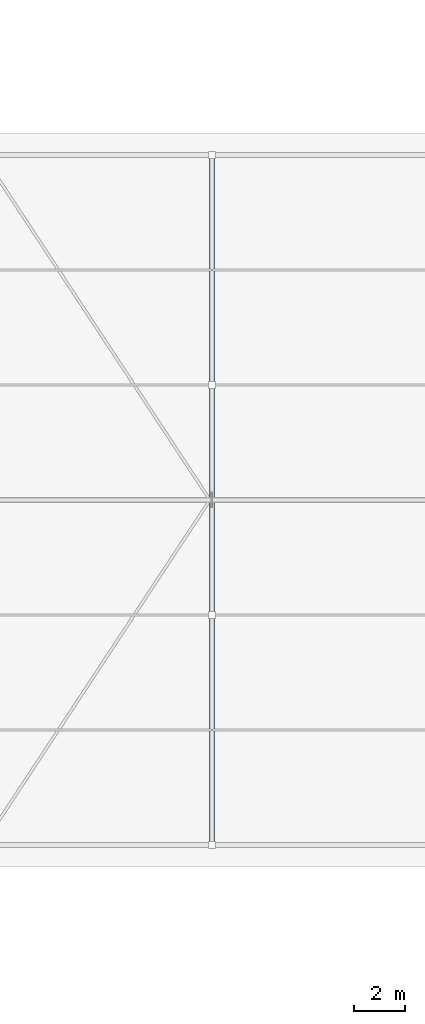
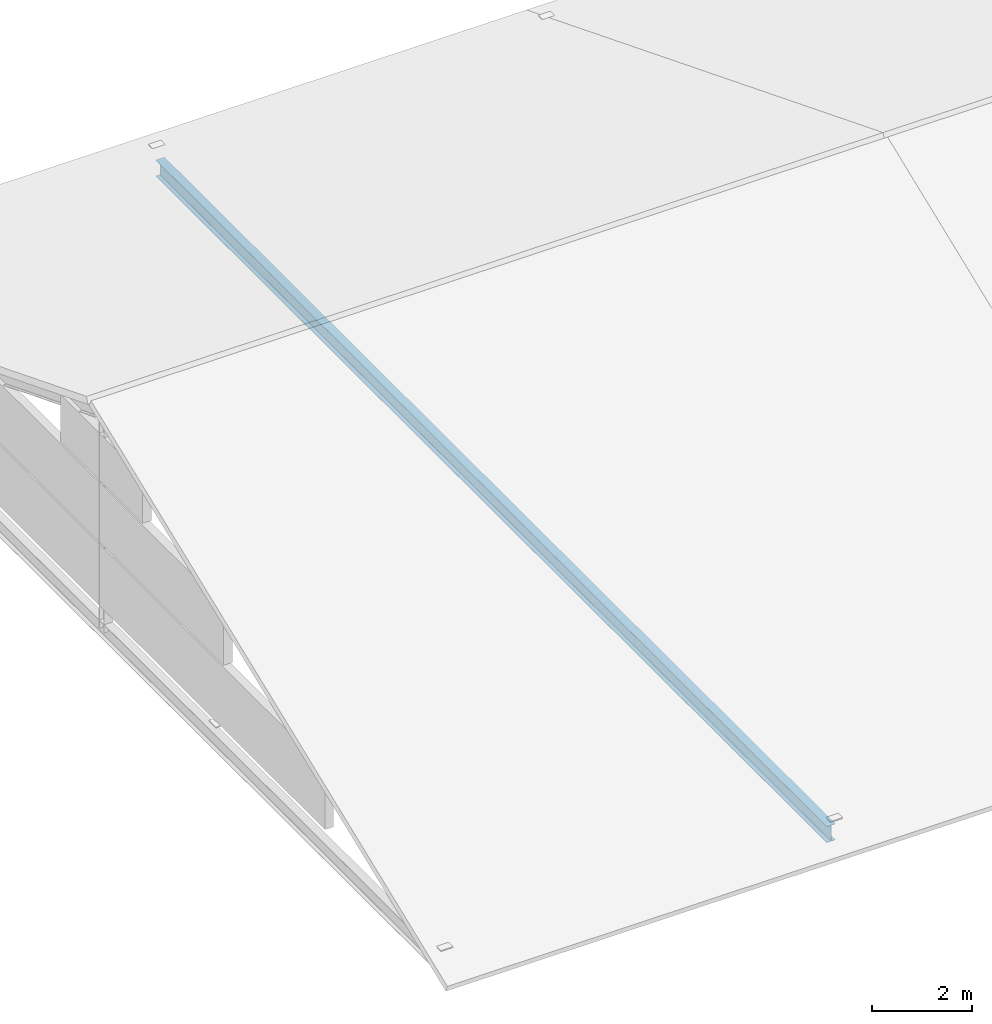
# One storey, part 65 of 132: 1 beam.
"""IFC4 building model written with IfcOpenShell, lengths in metres."""

import ifcopenshell
import ifcopenshell.guid

model = None  # the IFC model being written
_history = None  # IfcOwnerHistory: only IFC2X3 demands one
_inside = {}  # id of a spatial element -> (the spatial element, [elements in it])
_under = {}  # id of a project, library or spatial element -> (it, [spatial elements below it])
_declared = {}  # id of a project -> (the project, [libraries it declares])
_typed = {}  # id of a type object -> (the type object, [elements of that type])
_made_of = {}  # id of a material, layer set ... -> (it, [elements and type objects made of it])


def new_model(schema):
    """Start an empty IFC model of exactly this schema.

    Asked for "IFC4X3", IfcOpenShell would pick the latest addendum, in which some entities
    have other attributes; the version numbers below select the first issue.
    IFC2X3 requires an IfcOwnerHistory on every rooted entity: one is made here for all.
    """
    global model, _history
    if schema == "IFC4X3":
        model = ifcopenshell.file(schema_version=(4, 3, 0, 0))
    else:
        model = ifcopenshell.file(schema=schema)
    _inside.clear()
    _under.clear()
    _declared.clear()
    _typed.clear()
    _made_of.clear()
    _history = None
    if model.schema == "IFC2X3":
        org = make("IfcOrganization", Name="unknown")
        user = make(
            "IfcPersonAndOrganization",
            ThePerson=make("IfcPerson", FamilyName="unknown"),
            TheOrganization=org,
        )
        app = make(
            "IfcApplication",
            ApplicationDeveloper=org,
            Version="unknown",
            ApplicationFullName="unknown",
            ApplicationIdentifier="unknown",
        )
        _history = make(
            "IfcOwnerHistory",
            OwningUser=user,
            OwningApplication=app,
            ChangeAction="ADDED",
            CreationDate=0,
        )
    return model


def make(cls, **values):
    """One entity of the class cls with the attributes given. An attribute that is None is left unset."""
    return model.create_entity(
        cls, **{name: value for name, value in values.items() if value is not None}
    )


def rooted(cls, **values):
    """An entity with a GlobalId (a new one), such as an element, a storey or a relation."""
    return make(cls, GlobalId=ifcopenshell.guid.new(), OwnerHistory=_history, **values)


def si_unit(unit_type, name, prefix=None):
    """IfcSIUnit, for example si_unit("LENGTHUNIT", "METRE", prefix="MILLI")."""
    return make("IfcSIUnit", UnitType=unit_type, Prefix=prefix, Name=name)


def assignment(units):
    """IfcUnitAssignment: the units of a project."""
    return None if units is None else make("IfcUnitAssignment", Units=units)


def point(xyz):
    """IfcCartesianPoint."""
    return None if xyz is None else make("IfcCartesianPoint", Coordinates=xyz)


def direction(xyz):
    """IfcDirection."""
    return None if xyz is None else make("IfcDirection", DirectionRatios=xyz)


def frame(location, z_axis=None, x_axis=None):
    """IfcAxis2Placement3D, a coordinate frame: its origin and axes. An axis left out is left unset."""
    return make(
        "IfcAxis2Placement3D",
        Location=point(location),
        Axis=direction(z_axis),
        RefDirection=direction(x_axis),
    )


def frame_2d(location, x_axis=None):
    """IfcAxis2Placement2D, a coordinate frame in the plane: its origin and x axis."""
    return make(
        "IfcAxis2Placement2D", Location=point(location), RefDirection=direction(x_axis)
    )


def origin():
    """The frame at (0, 0, 0) with its axes left unset."""
    return frame((0.0, 0.0, 0.0))


def origin_2d():
    """The frame at (0, 0) in the plane with its x axis left unset."""
    return frame_2d((0.0, 0.0))


def place(relative_to, where):
    """IfcLocalPlacement: puts the frame where relative to a parent placement (None: the world)."""
    return make(
        "IfcLocalPlacement", PlacementRelTo=relative_to, RelativePlacement=where
    )


def context(
    kind, dimensions, precision=None, world=None, true_north=None, identifier=None
):
    """IfcGeometricRepresentationContext, for example the 3D "Model" context."""
    return make(
        "IfcGeometricRepresentationContext",
        ContextIdentifier=identifier,
        ContextType=kind,
        CoordinateSpaceDimension=dimensions,
        Precision=precision,
        WorldCoordinateSystem=world,
        TrueNorth=true_north,
    )


def subcontext(parent, identifier, kind, view, scale=None):
    """IfcGeometricRepresentationSubContext, for example "Body" below "Model"."""
    return make(
        "IfcGeometricRepresentationSubContext",
        ContextIdentifier=identifier,
        ContextType=kind,
        ParentContext=parent,
        TargetScale=scale,
        TargetView=view,
    )


def project(units=None, contexts=None):
    """IfcProject with its units and contexts."""
    return rooted(
        "IfcProject",
        Name="project",
        RepresentationContexts=contexts,
        UnitsInContext=assignment(units),
    )


def spatial(cls, under=None, at=None, **own):
    """A site, building, storey or space (cls), placed at a placement, below another one or the project."""
    s = rooted(cls, ObjectPlacement=at, **own)
    if under is not None:
        _under.setdefault(under.id(), (under, []))[1].append(s)
    return s


def profile(cls, at=None, kind="AREA", **sizes):
    """A parametric profile (cls). Its sizes go by their IFC names, for example OverallWidth=200.0."""
    return make(cls, ProfileType=kind, Position=at, **sizes)


def i_section(**sizes):
    """IfcIShapeProfileDef."""
    return profile("IfcIShapeProfileDef", **sizes)


def extrude(swept, where, along, depth):
    """IfcExtrudedAreaSolid: the profile swept, set in the frame where, extruded along a direction by depth."""
    return make(
        "IfcExtrudedAreaSolid",
        SweptArea=swept,
        Position=where,
        ExtrudedDirection=direction(along),
        Depth=depth,
    )


def shape(context_of_items, identifier, shape_type, items):
    """IfcShapeRepresentation: the items that make up one representation, for example the "Body"."""
    return make(
        "IfcShapeRepresentation",
        ContextOfItems=context_of_items,
        RepresentationIdentifier=identifier,
        RepresentationType=shape_type,
        Items=items,
    )


def material(Name=None, Category=None):
    """IfcMaterial."""
    return make("IfcMaterial", Name=Name, Category=Category)


def material_profile(
    of_material, cross_section, Name=None, Category=None, Priority=None
):
    """IfcMaterialProfile: a cross section and its material."""
    return make(
        "IfcMaterialProfile",
        Name=Name,
        Material=of_material,
        Profile=cross_section,
        Priority=Priority,
        Category=Category,
    )


def profile_set(profiles, Name=None, composite=None):
    """IfcMaterialProfileSet."""
    return make(
        "IfcMaterialProfileSet",
        Name=Name,
        MaterialProfiles=profiles,
        CompositeProfile=composite,
    )


def made_of(thing, what):
    """Note that an element or type object is made of a material, layer set ...; save() writes the relation."""
    if what is not None:
        _made_of.setdefault(what.id(), (what, []))[1].append(thing)
    return thing


def type_object(cls, material=None, **own):
    """A type object (cls), such as IfcWallType, which elements share."""
    return made_of(rooted(cls, **own), material)


def element(
    cls,
    number,
    at=None,
    inside=None,
    cuts=None,
    type_object=None,
    material=None,
    context=None,
    identifier="Body",
    shape_type=None,
    held_by="IfcProductDefinitionShape",
    body=None,
    shapes=None,
    **own,
):
    """One element of the class cls, such as IfcWall. Its Tag is "e" and its number.

    at: its placement. inside: the storey or other place that contains it. cuts: it is an
    opening in that element (IfcRelVoidsElement). A single representation is given by context,
    identifier, shape_type and body (its items); several are given by shapes. held_by: the class
    of the entity that holds the representations. save() writes the other relations.
    """
    e = rooted(cls, Tag="e%d" % number, ObjectPlacement=at, **own)
    if body is not None:
        shapes = [shape(context, identifier, shape_type, body)]
    if shapes is not None:
        e.Representation = make(held_by, Representations=shapes)
    if inside is not None:
        _inside.setdefault(inside.id(), (inside, []))[1].append(e)
    if cuts is not None:
        rooted(
            "IfcRelVoidsElement", RelatingBuildingElement=cuts, RelatedOpeningElement=e
        )
    if type_object is not None:
        _typed.setdefault(type_object.id(), (type_object, []))[1].append(e)
    return made_of(e, material)


def aggregate(whole, parts):
    """IfcRelAggregates: a whole, such as a stair, and the parts it consists of."""
    return rooted("IfcRelAggregates", RelatingObject=whole, RelatedObjects=parts)


def save(model, path):
    """Write the relations noted so far, then the file.

    IfcRelAggregates (storeys below a building ...), IfcRelContainedInSpatialStructure (elements
    in a storey), IfcRelDefinesByType, IfcRelAssociatesMaterial and IfcRelDeclares: one each for
    every whole, place, type object, material and project.
    """
    for whole, parts in _under.values():
        aggregate(whole, parts)
    for where, things in _inside.values():
        rooted(
            "IfcRelContainedInSpatialStructure",
            RelatedElements=things,
            RelatingStructure=where,
        )
    for kind, things in _typed.values():
        rooted("IfcRelDefinesByType", RelatedObjects=things, RelatingType=kind)
    for what, things in _made_of.values():
        rooted("IfcRelAssociatesMaterial", RelatedObjects=things, RelatingMaterial=what)
    for by, libraries in _declared.values():
        rooted("IfcRelDeclares", RelatingContext=by, RelatedDefinitions=libraries)
    model.write(path)


model = new_model("IFC4")

# Units and contexts
model_context = context("Model", 3, precision=1e-05, world=origin(), true_north=direction((0.0, 1.0)))
body_context = subcontext(model_context, "Body", "Model", "MODEL_VIEW")
ifc_project = project(units=[si_unit("LENGTHUNIT", "METRE"), si_unit("AREAUNIT", "SQUARE_METRE"), si_unit("VOLUMEUNIT", "CUBIC_METRE"), si_unit("PLANEANGLEUNIT", "RADIAN"), si_unit("MASSUNIT", "GRAM", prefix="KILO")], contexts=[model_context])

# Site, building, storey
site_placement = place(None, origin())
site = spatial("IfcSite", under=ifc_project, at=site_placement, CompositionType="ELEMENT")
building_placement = place(site_placement, origin())
building = spatial("IfcBuilding", under=site, at=building_placement, Name="Tharagai Park Tramway Depot", CompositionType="ELEMENT")
storey_placement = place(building_placement, frame((0.0, 0.0, 4.800048828125)))
storey = spatial("IfcBuildingStorey", under=building, at=storey_placement, Name="L01", CompositionType="ELEMENT", Elevation=4.800048828125)

# Beam
ifc_material = material(Name="Steel E350", Category="steel")
ifc_material_profile = material_profile(ifc_material, i_section(OverallWidth=0.199951171875, OverallDepth=0.39990234375, WebThickness=0.008544921875, FlangeThickness=0.012939453125, FilletRadius=0.013916015625, at=origin_2d()), Name="ISWB 400")
ifc_profile_set = profile_set([ifc_material_profile], Name="Steel E350")
beam_type = type_object("IfcBeamType", Name="BM-05", PredefinedType="BEAM", material=ifc_profile_set)
beam_placement = place(storey_placement, frame((180.0, 54.080078125, -0.449951171875), z_axis=(0.0, 1.0, 0.0), x_axis=(-1.0, 0.0, 0.0)))
element("IfcBeam", 1, at=beam_placement, inside=storey, type_object=beam_type, Name="V6 Gable Tie Girder BM-05", PredefinedType="BEAM", context=body_context, shape_type="SweptSolid", body=[
    extrude(i_section(OverallWidth=0.199951171875, OverallDepth=0.39990234375, WebThickness=0.008544921875, FlangeThickness=0.012939453125, FilletRadius=0.013916015625, at=origin_2d()), origin(), (0.0, 0.0, 1.0), 26.83984375),
])

save(model, "model.ifc")
